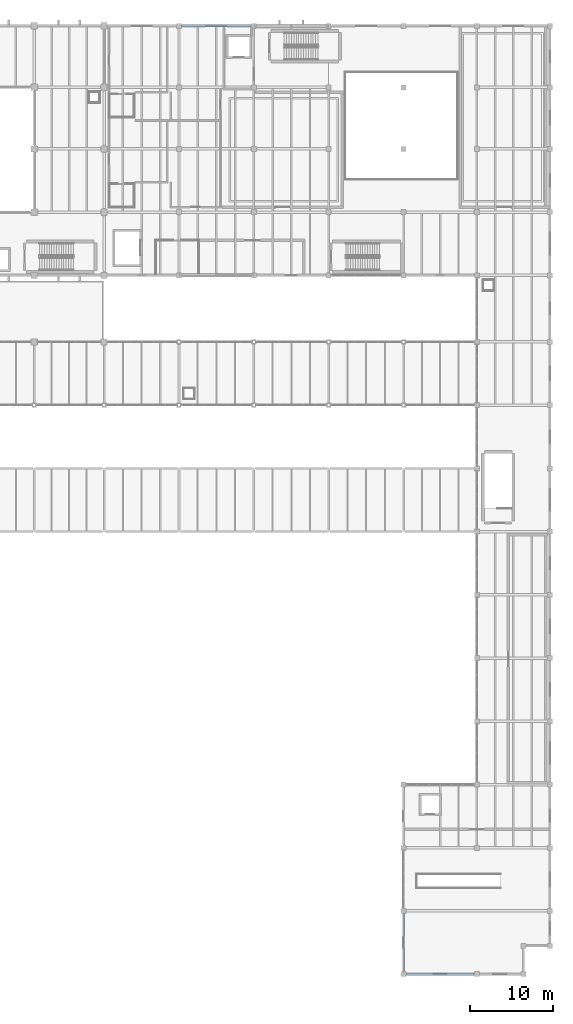
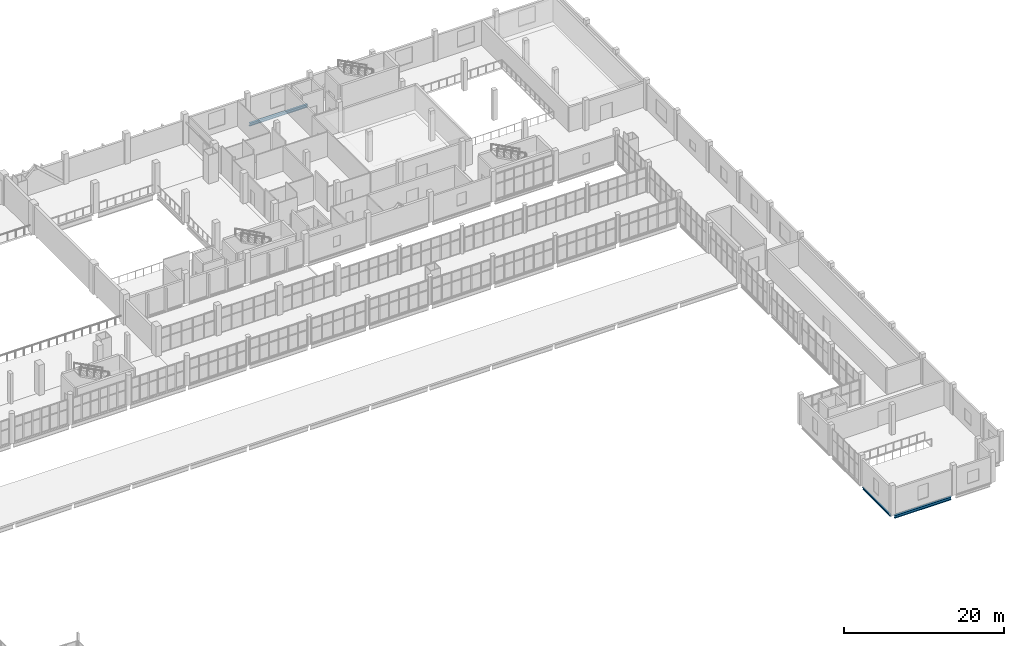
# One storey, part 67 of 136: 3 beams.
"""IFC4 building model written with IfcOpenShell, lengths in metres."""

from ifc_helpers import new_model, si_unit, direction, frame, origin, origin_2d, place, context, subcontext, project, spatial, i_section, extrude, material, material_profile, profile_set, type_object, element, save


model = new_model("IFC4")

# Units and contexts
model_context = context("Model", 3, precision=1e-05, world=origin(), true_north=direction((0.0, 1.0)))
body_context = subcontext(model_context, "Body", "Model", "MODEL_VIEW")
ifc_project = project(units=[si_unit("LENGTHUNIT", "METRE"), si_unit("AREAUNIT", "SQUARE_METRE"), si_unit("VOLUMEUNIT", "CUBIC_METRE"), si_unit("PLANEANGLEUNIT", "RADIAN"), si_unit("MASSUNIT", "GRAM", prefix="KILO")], contexts=[model_context])

# Site, building, storey
site_placement = place(None, origin())
site = spatial("IfcSite", under=ifc_project, at=site_placement, CompositionType="ELEMENT")
building_placement = place(site_placement, origin())
building = spatial("IfcBuilding", under=site, at=building_placement, Name="Shengluoqiao Park Theatre", CompositionType="ELEMENT")
storey_placement = place(building_placement, frame((0.0, 0.0, 10.0)))
storey = spatial("IfcBuildingStorey", under=building, at=storey_placement, Name="L02", CompositionType="ELEMENT", Elevation=10.0)

# Beams
ifc_material = material(Name="Steel Q355", Category="steel")
ifc_material_profile_1 = material_profile(ifc_material, i_section(OverallWidth=0.199951171875, OverallDepth=0.2939453125, WebThickness=0.008056640625, FlangeThickness=0.011962890625, FilletRadius=0.01611328125, at=origin_2d()), Name="HM 294x200x8x12")
ifc_profile_set_1 = profile_set([ifc_material_profile_1], Name="Steel Q355")
beam_type_1 = type_object("IfcBeamType", Name="STR-BM-G-HM294", PredefinedType="BEAM", material=ifc_profile_set_1)
beam_1_placement = place(storey_placement, frame((148.39990234375, 0.319091796875, -0.386962890625), z_axis=(0.0, 1.0, 0.0), x_axis=(-1.0, 0.0, 0.0)))
element("IfcBeam", 1, at=beam_1_placement, inside=storey, type_object=beam_type_1, Name="L02 Transverse Girder 01191", PredefinedType="BEAM", context=body_context, shape_type="SweptSolid", body=[
    extrude(i_section(OverallWidth=0.199951171875, OverallDepth=0.2939453125, WebThickness=0.008056640625, FlangeThickness=0.011962890625, FilletRadius=0.01611328125, at=origin_2d()), origin(), (0.0, 0.0, 1.0), 6.9619140625),
])
ifc_material_profile_2 = material_profile(ifc_material, i_section(OverallWidth=0.300048828125, OverallDepth=0.43994140625, WebThickness=0.010986328125, FlangeThickness=0.01806640625, FilletRadius=0.02001953125, at=origin_2d()), Name="HM 440x300x11x18")
ifc_profile_set_2 = profile_set([ifc_material_profile_2], Name="Steel Q355")
beam_type_2 = type_object("IfcBeamType", Name="STR-BM-G-HM440", PredefinedType="BEAM", material=ifc_profile_set_2)
beam_2_placement = place(storey_placement, frame((121.718994140625, 114.0, -0.4599609375), z_axis=(1.0, 0.0, 0.0), x_axis=(0.0, 1.0, 0.0)))
element("IfcBeam", 2, at=beam_2_placement, inside=storey, type_object=beam_type_2, Name="L02 Primary Girder 01066", PredefinedType="BEAM", context=body_context, shape_type="SweptSolid", body=[
    extrude(i_section(OverallWidth=0.300048828125, OverallDepth=0.43994140625, WebThickness=0.010986328125, FlangeThickness=0.01806640625, FilletRadius=0.02001953125, at=origin_2d()), origin(), (0.0, 0.0, 1.0), 8.362060546875),
])
beam_3_placement = place(storey_placement, frame((148.718994140625, 0.0, -0.4599609375), z_axis=(1.0, 0.0, 0.0), x_axis=(0.0, 1.0, 0.0)))
element("IfcBeam", 3, at=beam_3_placement, inside=storey, type_object=beam_type_2, Name="L02 Primary Girder 01185", PredefinedType="BEAM", context=body_context, shape_type="SweptSolid", body=[
    extrude(i_section(OverallWidth=0.300048828125, OverallDepth=0.43994140625, WebThickness=0.010986328125, FlangeThickness=0.01806640625, FilletRadius=0.02001953125, at=origin_2d()), origin(), (0.0, 0.0, 1.0), 8.162109375),
])

save(model, "model.ifc")
